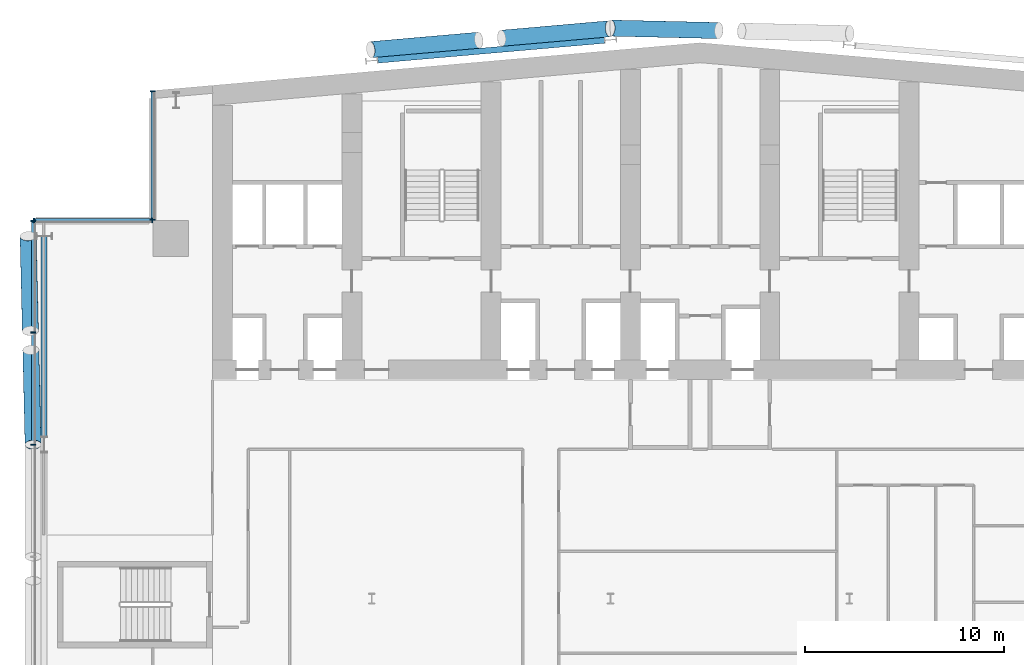
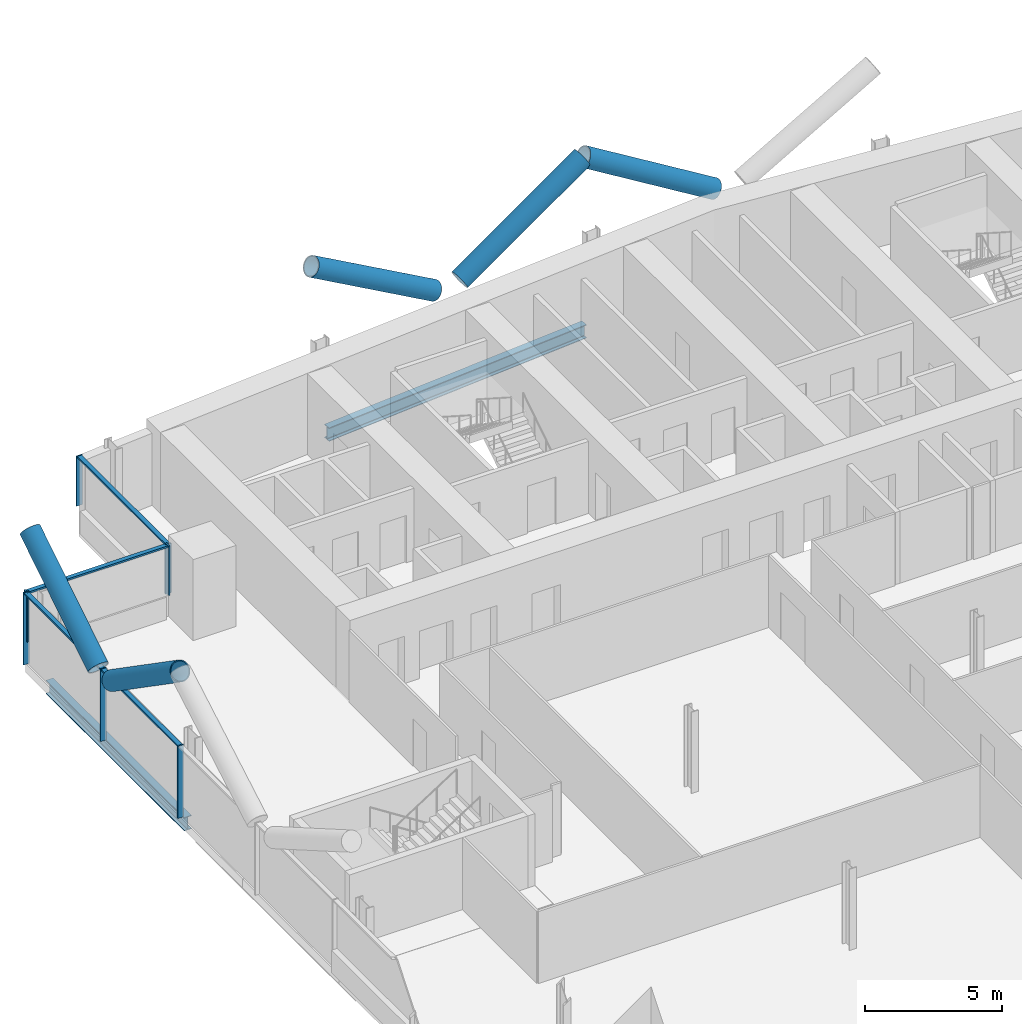
# One storey, part 8 of 27: 16 members, 2 beams, 3 elements without a shape of their own.
"""IFC4 building model written with IfcOpenShell, lengths in metres."""

from ifc_helpers import new_model, si_unit, direction, frame, origin, origin_2d, place, context, subcontext, project, spatial, rectangle, hollow_circle, i_section, extrude, material, material_profile, profile_set, type_object, element, aggregate, save


model = new_model("IFC4")

# Units and contexts
model_context = context("Model", 3, precision=1e-05, world=origin(), true_north=direction((0.0, 1.0)))
body_context = subcontext(model_context, "Body", "Model", "MODEL_VIEW")
ifc_project = project(units=[si_unit("LENGTHUNIT", "METRE"), si_unit("AREAUNIT", "SQUARE_METRE"), si_unit("VOLUMEUNIT", "CUBIC_METRE"), si_unit("PLANEANGLEUNIT", "RADIAN"), si_unit("MASSUNIT", "GRAM", prefix="KILO")], contexts=[model_context])

# Site, building, storey
site_placement = place(None, origin())
site = spatial("IfcSite", under=ifc_project, at=site_placement, CompositionType="ELEMENT")
building_placement = place(site_placement, origin())
building = spatial("IfcBuilding", under=site, at=building_placement, Name="Wharfspan Tower", CompositionType="ELEMENT")
storey_placement = place(building_placement, frame((0.0, 0.0, 118.300049)))
storey = spatial("IfcBuildingStorey", under=building, at=storey_placement, Name="L27", CompositionType="ELEMENT", Elevation=118.300049)

# Beams
ifc_material_1 = material(Name="Steel S355J2", Category="steel")
ifc_material_profile_1 = material_profile(ifc_material_1, i_section(OverallWidth=0.300049, OverallDepth=0.600098, WebThickness=0.015381, FlangeThickness=0.030029, FilletRadius=0.0271, at=origin_2d()))
ifc_profile_set_1 = profile_set([ifc_material_profile_1], Name="Steel S355J2")
beam_type = type_object("IfcBeamType", Name="Edge beam HEB 600", PredefinedType="SPANDREL", material=ifc_profile_set_1)
beam_1_placement = place(storey_placement, frame((35.695068, 51.050537, -0.699951), z_axis=(-0.996194, -0.087162, 0.0), x_axis=(0.087162, -0.996194, 0.0)))
element("IfcBeam", 1, at=beam_1_placement, inside=storey, type_object=beam_type, Name="Edge beam N1 L27 R.2 to R.1", PredefinedType="SPANDREL", context=body_context, shape_type="SweptSolid", body=[
    extrude(i_section(OverallWidth=0.300049, OverallDepth=0.600098, WebThickness=0.015381, FlangeThickness=0.030029, FilletRadius=0.0271, at=origin_2d()), origin(), (0.0, 0.0, 1.0), 11.433594),
])
beam_2_placement = place(storey_placement, frame((7.544434, 41.201416, -0.699951), z_axis=(-0.000412, -1.0, 0.0), x_axis=(1.0, -0.000412, 0.0)))
element("IfcBeam", 2, at=beam_2_placement, inside=storey, type_object=beam_type, Name="Edge beam W L27 PNRW-H.1 to PW.1", PredefinedType="SPANDREL", context=body_context, shape_type="SweptSolid", body=[
    extrude(i_section(OverallWidth=0.300049, OverallDepth=0.600098, WebThickness=0.015381, FlangeThickness=0.030029, FilletRadius=0.0271, at=origin_2d()), origin(), (0.0, 0.0, 1.0), 10.065186),
])

# Curtain wall, members
ifc_material_2 = material(Name="Aluminium 6063-T6", Category="aluminium")
curtain_wall_type = type_object("IfcCurtainWallType", Name="CURTAIN WALL PROW AND END", PredefinedType="NOTDEFINED", material=ifc_material_2)
curtain_wall_1_placement = place(storey_placement, origin())
curtain_wall_1 = element("IfcCurtainWall", 3, at=curtain_wall_1_placement, inside=storey, type_object=curtain_wall_type, Name="Curtain wall NRW-V", PredefinedType="NOTDEFINED")
ifc_material_profile_2 = material_profile(ifc_material_2, rectangle(XDim=0.23999, YDim=0.060059, at=origin_2d()))
ifc_profile_set_2 = profile_set([ifc_material_profile_2], Name="Aluminium 6063-T6")
member_type_1 = type_object("IfcMemberType", Name="MULLION PROW AND END 60x240", PredefinedType="MULLION", material=ifc_profile_set_2)
member_1_placement = place(storey_placement, frame((13.0, 48.494873, 1.0), z_axis=(0.0, 0.0, 1.0), x_axis=(1.0, 0.0, 0.0)))
member_1 = element("IfcMember", 4, at=member_1_placement, type_object=member_type_1, Name="Curtain wall NRW-V mullion 1", PredefinedType="MULLION", context=body_context, shape_type="SweptSolid", body=[
    extrude(rectangle(XDim=0.23999, YDim=0.060059, at=origin_2d()), origin(), (0.0, 0.0, 1.0), 2.199951),
])
member_2_placement = place(storey_placement, frame((13.0, 42.030029, 1.0), z_axis=(0.0, 0.0, 1.0), x_axis=(1.0, 0.0, 0.0)))
member_2 = element("IfcMember", 5, at=member_2_placement, type_object=member_type_1, Name="Curtain wall NRW-V mullion 2", PredefinedType="MULLION", context=body_context, shape_type="SweptSolid", body=[
    extrude(rectangle(XDim=0.23999, YDim=0.060059, at=origin_2d()), origin(), (0.0, 0.0, 1.0), 2.199951),
])

curtain_wall_2_placement = place(storey_placement, origin())
curtain_wall_2 = element("IfcCurtainWall", 6, at=curtain_wall_2_placement, inside=storey, type_object=curtain_wall_type, Name="Curtain wall NRW-H", PredefinedType="NOTDEFINED")
member_3_placement = place(storey_placement, frame((12.969971, 42.0, 1.0), z_axis=(0.0, 0.0, 1.0), x_axis=(0.0, -1.0, 0.0)))
member_3 = element("IfcMember", 7, at=member_3_placement, type_object=member_type_1, Name="Curtain wall NRW-H mullion 1", PredefinedType="MULLION", context=body_context, shape_type="SweptSolid", body=[
    extrude(rectangle(XDim=0.23999, YDim=0.060059, at=origin_2d()), origin(), (0.0, 0.0, 1.0), 2.199951),
])
member_4_placement = place(storey_placement, frame((7.030029, 42.0, 1.0), z_axis=(0.0, 0.0, 1.0), x_axis=(0.0, -1.0, 0.0)))
member_4 = element("IfcMember", 8, at=member_4_placement, type_object=member_type_1, Name="Curtain wall NRW-H mullion 2", PredefinedType="MULLION", context=body_context, shape_type="SweptSolid", body=[
    extrude(rectangle(XDim=0.23999, YDim=0.060059, at=origin_2d()), origin(), (0.0, 0.0, 1.0), 2.199951),
])

curtain_wall_3_placement = place(storey_placement, origin())
curtain_wall_3 = element("IfcCurtainWall", 9, at=curtain_wall_3_placement, inside=storey, type_object=curtain_wall_type, Name="Curtain wall W", PredefinedType="NOTDEFINED")
member_5_placement = place(storey_placement, frame((7.0, 41.969971, 0.0), z_axis=(0.0, 0.0, 1.0), x_axis=(1.0, 0.0, 0.0)))
member_5 = element("IfcMember", 10, at=member_5_placement, type_object=member_type_1, Name="Curtain wall W mullion 1", PredefinedType="MULLION", context=body_context, shape_type="SweptSolid", body=[
    extrude(rectangle(XDim=0.23999, YDim=0.060059, at=origin_2d()), origin(), (0.0, 0.0, 1.0), 3.199951),
])
member_6_placement = place(storey_placement, frame((7.0, 36.366699, 0.0), z_axis=(0.0, 0.0, 1.0), x_axis=(1.0, 0.0, 0.0)))
member_6 = element("IfcMember", 11, at=member_6_placement, type_object=member_type_1, Name="Curtain wall W mullion 2", PredefinedType="MULLION", context=body_context, shape_type="SweptSolid", body=[
    extrude(rectangle(XDim=0.23999, YDim=0.060059, at=origin_2d()), origin(), (0.0, 0.0, 1.0), 3.199951),
])
member_7_placement = place(storey_placement, frame((7.0, 30.733398, 0.0), z_axis=(0.0, 0.0, 1.0), x_axis=(1.0, 0.0, 0.0)))
member_7 = element("IfcMember", 12, at=member_7_placement, type_object=member_type_1, Name="Curtain wall W mullion 3", PredefinedType="MULLION", context=body_context, shape_type="SweptSolid", body=[
    extrude(rectangle(XDim=0.23999, YDim=0.060059, at=origin_2d()), origin(), (0.0, 0.0, 1.0), 3.199951),
])

# Members
ifc_material_3 = material(Name="Steel S460NH", Category="steel")
ifc_material_profile_3 = material_profile(ifc_material_3, hollow_circle(Radius=0.406494, WallThickness=0.040039, at=origin_2d()))
ifc_profile_set_3 = profile_set([ifc_material_profile_3], Name="Steel S460NH")
member_type_2 = type_object("IfcMemberType", Name="Mega brace CHS 813x40", PredefinedType="BRACE", material=ifc_profile_set_3)
for number, where, z_axis, x_axis, name in (
    (13, (6.871094, 35.486084, 3.23291), (0.019765, -0.823912, 0.566373), (0.999715, 0.023981, -2e-06), "Mega brace W4 L27 part 2"),
    (14, (6.8479, 36.455078, 3.23291), (-0.019722, 0.823926, 0.566354), (-0.999713, -0.023927, -4e-06), "Mega brace W4 L27 part 4"),
):
    element("IfcMember", number, at=place(storey_placement, frame(where, z_axis=z_axis, x_axis=x_axis)), inside=storey, type_object=member_type_2, Name=name, PredefinedType="BRACE", context=body_context, shape_type="SweptSolid", body=[
        extrude(hollow_circle(Radius=0.406494, WallThickness=0.040039, at=origin_2d()), origin(), (0.0, 0.0, 1.0), 5.768555),
    ])
member_8_placement = place(storey_placement, frame((41.435059, 51.541504, 3.246582), z_axis=(-0.857317, 0.019649, 0.514413), x_axis=(-0.022912, -0.999739, 2e-06)))
element("IfcMember", 15, at=member_8_placement, inside=storey, type_object=member_type_2, Name="Mega brace N7 L27 part 4", PredefinedType="BRACE", context=body_context, shape_type="SweptSolid", body=[
    extrude(hollow_circle(Radius=0.406494, WallThickness=0.040039, at=origin_2d()), origin(), (0.0, 0.0, 1.0), 6.324463),
])
member_9_placement = place(storey_placement, frame((30.529785, 51.156738, 3.246826), z_axis=(0.855087, 0.074812, 0.51306), x_axis=(-0.087157, 0.996195, -1e-06)))
element("IfcMember", 16, at=member_9_placement, inside=storey, type_object=member_type_2, Name="Mega brace N8 L27 part 2", PredefinedType="BRACE", context=body_context, shape_type="SweptSolid", body=[
    extrude(hollow_circle(Radius=0.406494, WallThickness=0.040039, at=origin_2d()), origin(), (0.0, 0.0, 1.0), 6.34082),
])
member_10_placement = place(storey_placement, frame((29.373291, 51.05542, 3.246826), z_axis=(-0.855079, -0.074777, 0.513078), x_axis=(0.087118, -0.996199, 0.0)))
element("IfcMember", 17, at=member_10_placement, inside=storey, type_object=member_type_2, Name="Mega brace N8 L27 part 4", PredefinedType="BRACE", context=body_context, shape_type="SweptSolid", body=[
    extrude(hollow_circle(Radius=0.406494, WallThickness=0.040039, at=origin_2d()), origin(), (0.0, 0.0, 1.0), 6.340576),
])

# Member
ifc_material_profile_4 = material_profile(ifc_material_2, rectangle(XDim=0.179932, YDim=0.080078, at=origin_2d()))
ifc_profile_set_4 = profile_set([ifc_material_profile_4], Name="Aluminium 6063-T6")
member_type_3 = type_object("IfcMemberType", Name="TRANSOM PROW AND END 80x180", PredefinedType="USERDEFINED", material=ifc_profile_set_4)
member_11_placement = place(storey_placement, frame((13.0, 48.464844, 3.159912), z_axis=(0.0, -1.0, 0.0), x_axis=(1.0, 0.0, 0.0)))
member_11 = element("IfcMember", 18, at=member_11_placement, type_object=member_type_3, Name="Curtain wall NRW-V transom 1", ObjectType="TRANSOM", PredefinedType="USERDEFINED", context=body_context, shape_type="SweptSolid", body=[
    extrude(rectangle(XDim=0.179932, YDim=0.080078, at=origin_2d()), origin(), (0.0, 0.0, 1.0), 6.404785),
])

aggregate(curtain_wall_1, [member_1, member_2, member_11])

member_12_placement = place(storey_placement, frame((12.939941, 42.0, 3.159912), z_axis=(-1.0, 0.0, 0.0), x_axis=(0.0, -1.0, 0.0)))
member_12 = element("IfcMember", 19, at=member_12_placement, type_object=member_type_3, Name="Curtain wall NRW-H transom 1", ObjectType="TRANSOM", PredefinedType="USERDEFINED", context=body_context, shape_type="SweptSolid", body=[
    extrude(rectangle(XDim=0.179932, YDim=0.080078, at=origin_2d()), origin(), (0.0, 0.0, 1.0), 5.879883),
])

aggregate(curtain_wall_2, [member_3, member_4, member_12])

member_13_placement = place(storey_placement, frame((7.0, 41.939941, 3.159912), z_axis=(0.0, -1.0, 0.0), x_axis=(1.0, 0.0, 0.0)))
member_13 = element("IfcMember", 20, at=member_13_placement, type_object=member_type_3, Name="Curtain wall W transom 1", ObjectType="TRANSOM", PredefinedType="USERDEFINED", context=body_context, shape_type="SweptSolid", body=[
    extrude(rectangle(XDim=0.179932, YDim=0.080078, at=origin_2d()), origin(), (0.0, 0.0, 1.0), 5.543213),
])

member_14_placement = place(storey_placement, frame((7.0, 36.33667, 3.159912), z_axis=(0.0, -1.0, 0.0), x_axis=(1.0, 0.0, 0.0)))
member_14 = element("IfcMember", 21, at=member_14_placement, type_object=member_type_3, Name="Curtain wall W transom 2", ObjectType="TRANSOM", PredefinedType="USERDEFINED", context=body_context, shape_type="SweptSolid", body=[
    extrude(rectangle(XDim=0.179932, YDim=0.080078, at=origin_2d()), origin(), (0.0, 0.0, 1.0), 5.573242),
])

aggregate(curtain_wall_3, [member_5, member_6, member_7, member_13, member_14])

save(model, "model.ifc")
